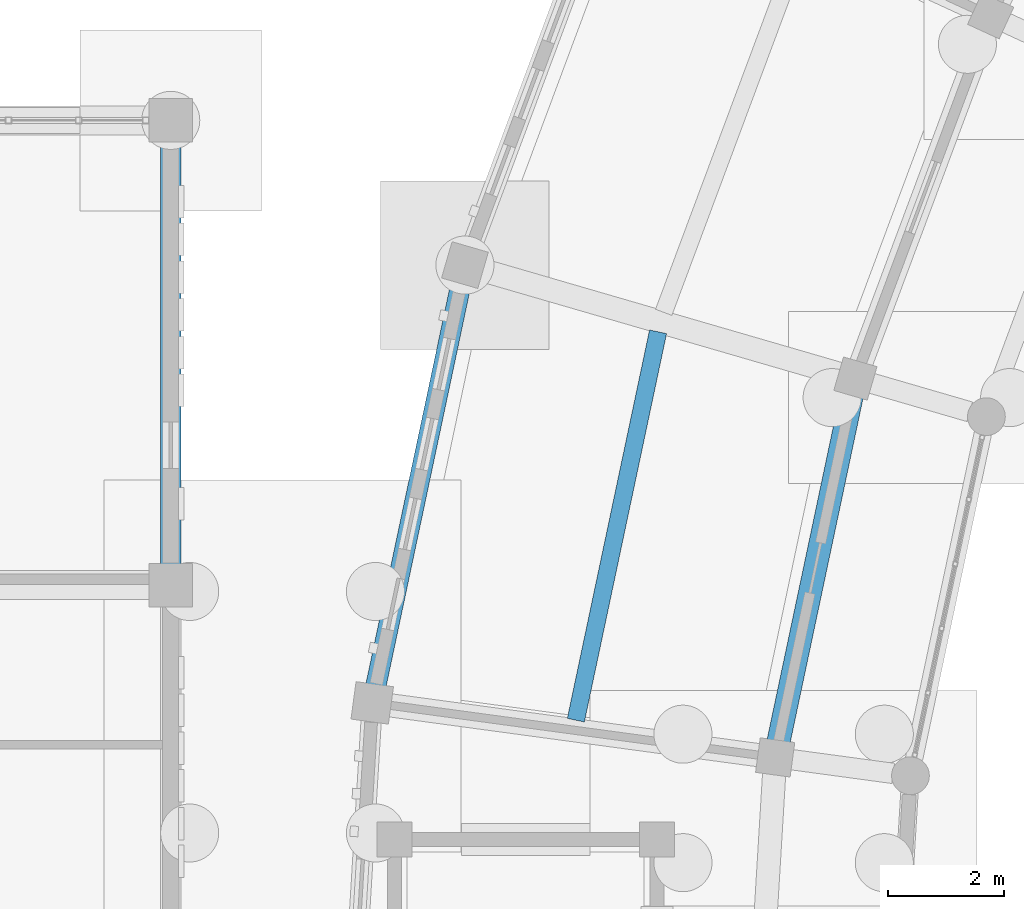
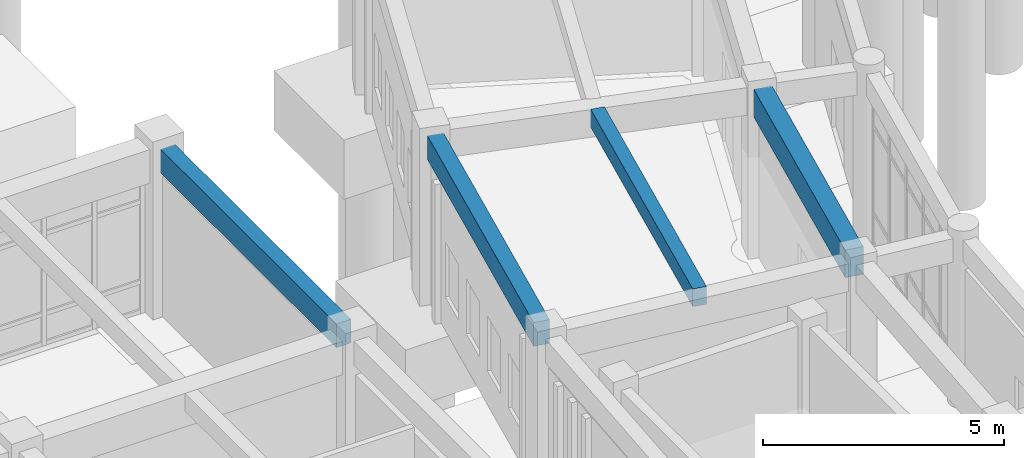
# One storey, part 64 of 153: 4 beams.
"""IFC4 building model written with IfcOpenShell, lengths in metres."""

from ifc_helpers import new_model, si_unit, direction, frame, origin, origin_2d, place, context, subcontext, project, spatial, rectangle, extrude, material, material_profile, profile_set, type_object, element, save


model = new_model("IFC4")

# Units and contexts
model_context = context("Model", 3, precision=1e-05, world=origin(), true_north=direction((0.0, 1.0)))
body_context = subcontext(model_context, "Body", "Model", "MODEL_VIEW")
ifc_project = project(units=[si_unit("LENGTHUNIT", "METRE"), si_unit("AREAUNIT", "SQUARE_METRE"), si_unit("VOLUMEUNIT", "CUBIC_METRE"), si_unit("PLANEANGLEUNIT", "RADIAN"), si_unit("MASSUNIT", "GRAM", prefix="KILO")], contexts=[model_context])

# Site, building, storey
site_placement = place(None, origin())
site = spatial("IfcSite", under=ifc_project, at=site_placement, CompositionType="ELEMENT")
building_placement = place(site_placement, origin())
building = spatial("IfcBuilding", under=site, at=building_placement, Name="Celadon Cloister-Ring School", CompositionType="ELEMENT")
storey_placement = place(building_placement, origin())
storey = spatial("IfcBuildingStorey", under=building, at=storey_placement, Name="L00", CompositionType="ELEMENT", Elevation=0.0)

# Beams
ifc_material_1 = material(Name="Concrete C35/45", Category="concrete")
ifc_material_profile_1 = material_profile(ifc_material_1, rectangle(XDim=0.35009765625, YDim=0.60009765625, at=origin_2d()), Name="RC350X600")
ifc_profile_set_1 = profile_set([ifc_material_profile_1], Name="Concrete C35/45")
beam_type_1 = type_object("IfcBeamType", Name="BT-02", PredefinedType="BEAM", material=ifc_profile_set_1)
beam_1_placement = place(storey_placement, frame((32.0, 68.35009765625, 3.93994140625), z_axis=(0.0, 1.0, 0.0), x_axis=(-1.0, 0.0, 0.0)))
element("IfcBeam", 1, at=beam_1_placement, inside=storey, type_object=beam_type_1, Name="Beam 1508", PredefinedType="BEAM", context=body_context, shape_type="SweptSolid", body=[
    extrude(rectangle(XDim=0.35009765625, YDim=0.60009765625, at=origin_2d()), origin(), (0.0, 0.0, 1.0), 7.2998046875),
])
ifc_material_2 = material(Name="Concrete C35/45", Category="concrete")
ifc_material_profile_2 = material_profile(ifc_material_2, rectangle(XDim=0.39990234375, YDim=0.699951171875, at=origin_2d()), Name="RC400X700")
ifc_profile_set_2 = profile_set([ifc_material_profile_2], Name="Concrete C35/45")
beam_type_2 = type_object("IfcBeamType", Name="GT-03", PredefinedType="USERDEFINED", material=ifc_profile_set_2)
beam_2_placement = place(storey_placement, frame((43.72998046875, 71.285888671875, 3.929931640625), z_axis=(-0.207124607017, -0.978314569639, 0.0), x_axis=(0.978314569639, -0.207124607017, 0.0)))
element("IfcBeam", 2, at=beam_2_placement, inside=storey, type_object=beam_type_2, Name="Beam 0090", ObjectType="GIRDER", PredefinedType="USERDEFINED", context=body_context, shape_type="SweptSolid", body=[
    extrude(rectangle(XDim=0.39990234375, YDim=0.699951171875, at=origin_2d()), origin(), (0.0, 0.0, 1.0), 6.117431640625),
])
ifc_material_3 = material(Name="Concrete C35/45", Category="concrete")
ifc_material_profile_3 = material_profile(ifc_material_3, rectangle(XDim=0.300048828125, YDim=0.449951171875, at=origin_2d()), Name="RC300X450")
ifc_profile_set_3 = profile_set([ifc_material_profile_3], Name="Concrete C35/45")
beam_type_3 = type_object("IfcBeamType", Name="JT-01", PredefinedType="JOIST", material=ifc_profile_set_3)
beam_3_placement = place(storey_placement, frame((40.389892578125, 72.360107421875, 4.054931640625), z_axis=(-0.20712821328, -0.978313806129, 0.0), x_axis=(0.978313806129, -0.20712821328, 0.0)))
element("IfcBeam", 3, at=beam_3_placement, inside=storey, type_object=beam_type_3, Name="Beam 0092", PredefinedType="JOIST", context=body_context, shape_type="SweptSolid", body=[
    extrude(rectangle(XDim=0.300048828125, YDim=0.449951171875, at=origin_2d()), origin(), (0.0, 0.0, 1.0), 6.835205078125),
])
ifc_material_4 = material(Name="Concrete C35/45", Category="concrete")
ifc_material_profile_4 = material_profile(ifc_material_4, rectangle(XDim=0.35009765625, YDim=0.60009765625, at=origin_2d()), Name="RC350X600")
ifc_profile_set_4 = profile_set([ifc_material_profile_4], Name="Concrete C35/45")
beam_type_4 = type_object("IfcBeamType", Name="SP-01", PredefinedType="SPANDREL", material=ifc_profile_set_4)
beam_4_placement = place(storey_placement, frame((37.0029296875, 73.215087890625, 3.97998046875), z_axis=(-0.207158448317, -0.978307404291, 0.0), x_axis=(0.978307404291, -0.207158448317, 0.0)))
element("IfcBeam", 4, at=beam_4_placement, inside=storey, type_object=beam_type_4, Name="Beam 0089", PredefinedType="SPANDREL", context=body_context, shape_type="SweptSolid", body=[
    extrude(rectangle(XDim=0.35009765625, YDim=0.60009765625, at=origin_2d()), origin(), (0.0, 0.0, 1.0), 7.105224609375),
])

save(model, "model.ifc")
